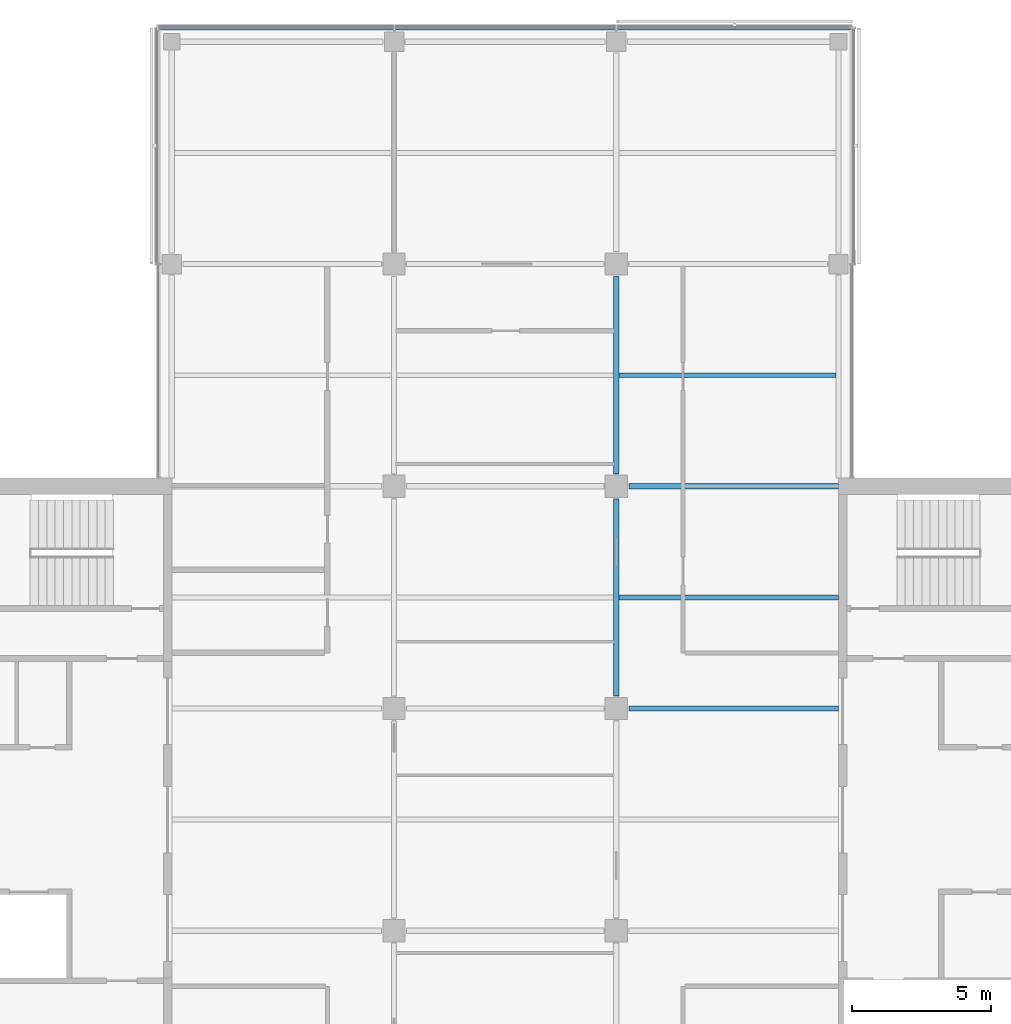
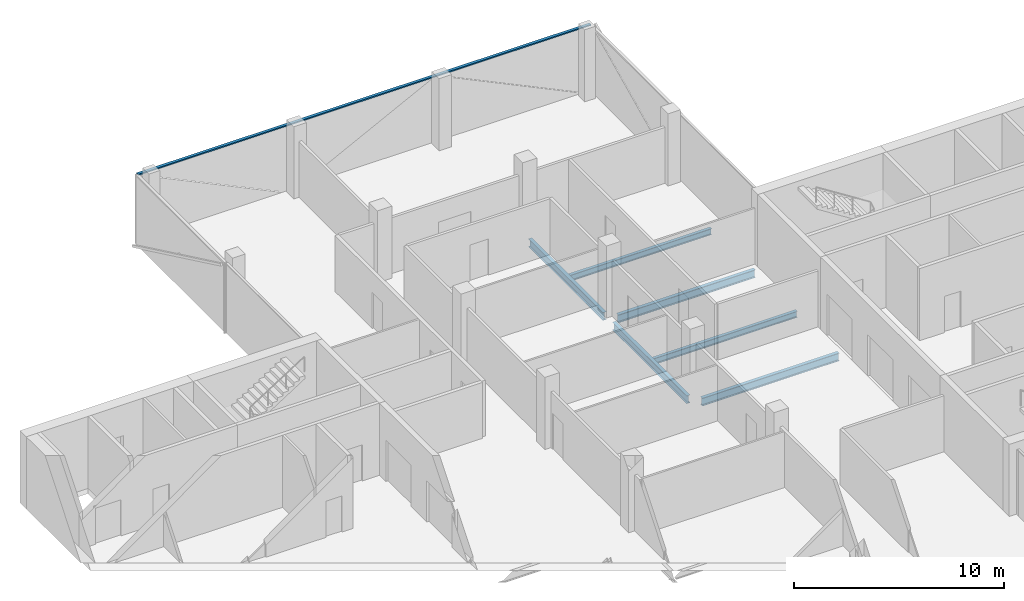
# One storey, part 6 of 15: 6 beams, 1 member, 1 element without a shape of its own.
"""IFC4 building model written with IfcOpenShell, lengths in metres."""

from ifc_helpers import new_model, si_unit, direction, frame, origin, origin_2d, place, context, subcontext, project, spatial, rectangle, i_section, extrude, material, material_profile, profile_set, type_object, element, aggregate, save


model = new_model("IFC4")

# Units and contexts
model_context = context("Model", 3, precision=1e-05, world=origin(), true_north=direction((0.0, 1.0)))
body_context = subcontext(model_context, "Body", "Model", "MODEL_VIEW")
ifc_project = project(units=[si_unit("LENGTHUNIT", "METRE"), si_unit("AREAUNIT", "SQUARE_METRE"), si_unit("VOLUMEUNIT", "CUBIC_METRE"), si_unit("PLANEANGLEUNIT", "RADIAN"), si_unit("MASSUNIT", "GRAM", prefix="KILO")], contexts=[model_context])

# Site, building, storey
site_placement = place(None, origin())
site = spatial("IfcSite", under=ifc_project, at=site_placement, CompositionType="ELEMENT")
building_placement = place(site_placement, origin())
building = spatial("IfcBuilding", under=site, at=building_placement, Name="Crosswind Convention Tower", CompositionType="ELEMENT")
storey_placement = place(building_placement, frame((0.0, 0.0, 233.5)))
storey = spatial("IfcBuildingStorey", under=building, at=storey_placement, Name="L50", CompositionType="ELEMENT", Elevation=233.5)

# Beams
ifc_material_1 = material(Name="Steel S355", Category="steel")
ifc_material_profile_1 = material_profile(ifc_material_1, i_section(OverallWidth=0.1904296875, OverallDepth=0.457275390625, WebThickness=0.009033203125, FlangeThickness=0.014404296875, FilletRadius=0.01025390625, at=origin_2d()), Name="UB 457x191x75")
ifc_profile_set_1 = profile_set([ifc_material_profile_1], Name="Steel S355")
beam_type_1 = type_object("IfcBeamType", Name="Girder UB 457x191x75", PredefinedType="BEAM", material=ifc_profile_set_1)
for number, where, z_axis, x_axis, name in (
    (1, (129.0, 104.449951171875, -0.528564453125), (0.0, 1.0, 0.0), (-1.0, 0.0, 0.0), "B2 L50 girder 20"),
    (2, (129.0, 112.449951171875, -0.528564453125), (0.0, 1.0, 0.0), (-1.0, 0.0, 0.0), "B2 L50 girder 21"),
):
    element("IfcBeam", number, at=place(storey_placement, frame(where, z_axis=z_axis, x_axis=x_axis)), inside=storey, type_object=beam_type_1, Name=name, PredefinedType="BEAM", context=body_context, shape_type="SweptSolid", body=[
        extrude(i_section(OverallWidth=0.1904296875, OverallDepth=0.457275390625, WebThickness=0.009033203125, FlangeThickness=0.014404296875, FilletRadius=0.01025390625, at=origin_2d()), origin(), (0.0, 0.0, 1.0), 7.10009765625),
    ])
ifc_material_profile_2 = material_profile(ifc_material_1, i_section(OverallWidth=0.19140625, OverallDepth=0.460205078125, WebThickness=0.010009765625, FlangeThickness=0.01611328125, FilletRadius=0.01025390625, at=origin_2d()), Name="UB 457x191x82")
ifc_profile_set_2 = profile_set([ifc_material_profile_2], Name="Steel S355")
beam_type_2 = type_object("IfcBeamType", Name="Girder at core wall UB 457x191x82", PredefinedType="BEAM", material=ifc_profile_set_2)
for number, where, z_axis, x_axis, name in (
    (3, (129.449951171875, 104.0, -0.530029296875), (1.0, 0.0, 0.0), (0.0, 1.0, 0.0), "B23 L50 girder at core wall 7"),
    (4, (129.449951171875, 112.0, -0.530029296875), (1.0, 0.0, 0.0), (0.0, 1.0, 0.0), "B23 L50 girder at core wall 8"),
):
    element("IfcBeam", number, at=place(storey_placement, frame(where, z_axis=z_axis, x_axis=x_axis)), inside=storey, type_object=beam_type_2, Name=name, PredefinedType="BEAM", context=body_context, shape_type="SweptSolid", body=[
        extrude(i_section(OverallWidth=0.19140625, OverallDepth=0.460205078125, WebThickness=0.010009765625, FlangeThickness=0.01611328125, FilletRadius=0.01025390625, at=origin_2d()), origin(), (0.0, 0.0, 1.0), 7.550048828125),
    ])
ifc_material_profile_3 = material_profile(ifc_material_1, i_section(OverallWidth=0.172119140625, OverallDepth=0.358642578125, WebThickness=0.008056640625, FlangeThickness=0.012939453125, FilletRadius=0.01025390625, at=origin_2d()), Name="UB 356x171x57")
ifc_profile_set_3 = profile_set([ifc_material_profile_3], Name="Steel S355")
beam_type_3 = type_object("IfcBeamType", Name="Secondary beam UB 356x171x57", PredefinedType="JOIST", material=ifc_profile_set_3)
beam_1_placement = place(storey_placement, frame((129.09521484375, 108.0, -0.479248046875), z_axis=(1.0, 0.0, 0.0), x_axis=(0.0, 1.0, 0.0)))
element("IfcBeam", 5, at=beam_1_placement, inside=storey, type_object=beam_type_3, Name="B9 L50 secondary beam 19", PredefinedType="JOIST", context=body_context, shape_type="SweptSolid", body=[
    extrude(i_section(OverallWidth=0.172119140625, OverallDepth=0.358642578125, WebThickness=0.008056640625, FlangeThickness=0.012939453125, FilletRadius=0.01025390625, at=origin_2d()), origin(), (0.0, 0.0, 1.0), 7.90478515625),
])
beam_2_placement = place(storey_placement, frame((129.09521484375, 116.0, -0.479248046875), z_axis=(1.0, 0.0, 0.0), x_axis=(0.0, 1.0, 0.0)))
element("IfcBeam", 6, at=beam_2_placement, inside=storey, type_object=beam_type_3, Name="B9 L50 secondary beam 20", PredefinedType="JOIST", context=body_context, shape_type="SweptSolid", body=[
    extrude(i_section(OverallWidth=0.172119140625, OverallDepth=0.358642578125, WebThickness=0.008056640625, FlangeThickness=0.012939453125, FilletRadius=0.01025390625, at=origin_2d()), origin(), (0.0, 0.0, 1.0), 7.809814453125),
])

# Curtain wall, member
ifc_material_2 = material(Name="Aluminium unitised curtain wall", Category="aluminium")
curtain_wall_type = type_object("IfcCurtainWallType", Name="OFFICE UNITISED WALL 220", PredefinedType="USERDEFINED", material=ifc_material_2)
curtain_wall_placement = place(storey_placement, origin())
curtain_wall = element("IfcCurtainWall", 7, at=curtain_wall_placement, inside=storey, type_object=curtain_wall_type, Name="CW3 L50 N-TIP 1", ObjectType="UNITISED", PredefinedType="USERDEFINED")
ifc_material_3 = material(Name="Aluminium transom", Category="aluminium")
ifc_material_profile_4 = material_profile(ifc_material_3, rectangle(XDim=0.159912109375, YDim=0.070068359375, at=origin_2d()), Name="AL 160X70")
ifc_profile_set_4 = profile_set([ifc_material_profile_4], Name="Aluminium transom")
member_type = type_object("IfcMemberType", Name="TRANSOM 70X160", PredefinedType="USERDEFINED", material=ifc_profile_set_4)
member_placement = place(storey_placement, frame((137.47509765625, 128.510009765625, 3.764892578125), z_axis=(-1.0, 0.0, 0.0), x_axis=(0.0, -1.0, 0.0)))
member = element("IfcMember", 8, at=member_placement, type_object=member_type, Name="CW3 transom", ObjectType="TRANSOM", PredefinedType="USERDEFINED", context=body_context, shape_type="SweptSolid", body=[
    extrude(rectangle(XDim=0.159912109375, YDim=0.070068359375, at=origin_2d()), origin(), (0.0, 0.0, 1.0), 24.9501953125),
])
aggregate(curtain_wall, [member])

save(model, "model.ifc")
